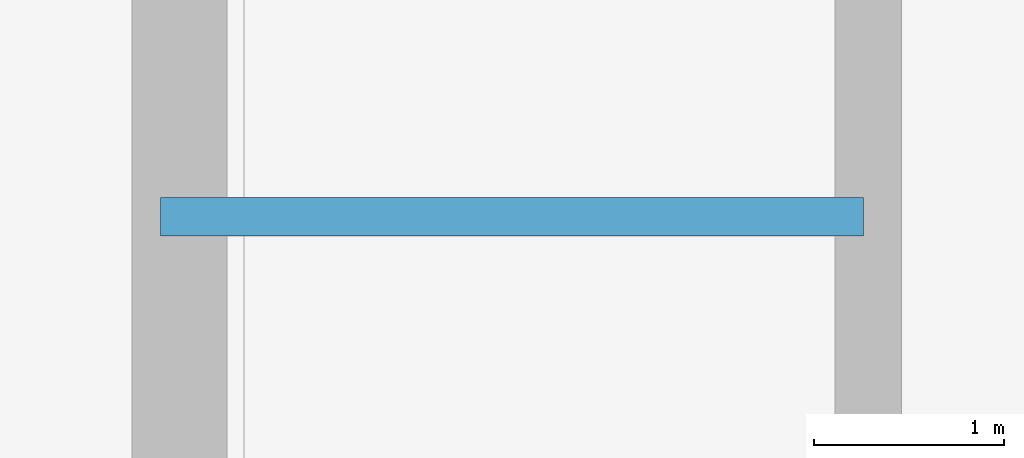
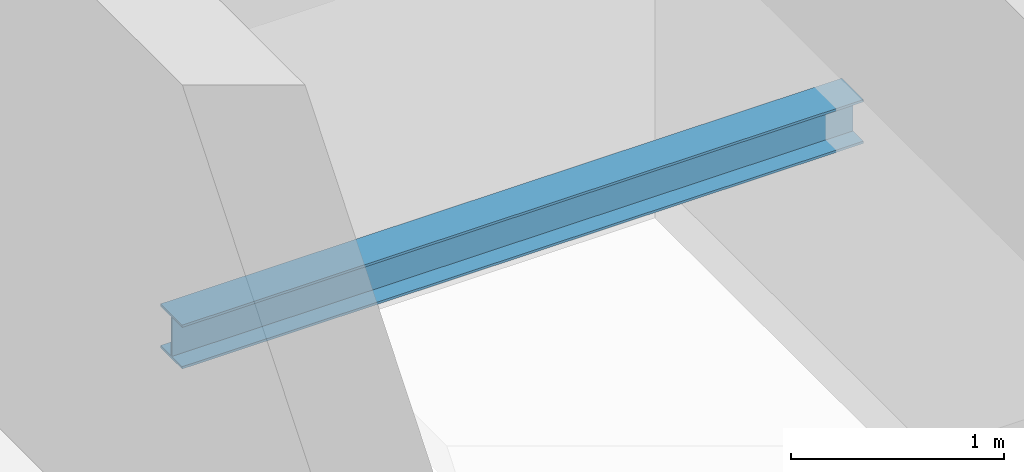
# One storey, part 12 of 31: 1 beam.
"""IFC4 building model written with IfcOpenShell, lengths in metres."""

import ifcopenshell
import ifcopenshell.guid

model = None  # the IFC model being written
_history = None  # IfcOwnerHistory: only IFC2X3 demands one
_inside = {}  # id of a spatial element -> (the spatial element, [elements in it])
_under = {}  # id of a project, library or spatial element -> (it, [spatial elements below it])
_declared = {}  # id of a project -> (the project, [libraries it declares])
_typed = {}  # id of a type object -> (the type object, [elements of that type])
_made_of = {}  # id of a material, layer set ... -> (it, [elements and type objects made of it])


def new_model(schema):
    """Start an empty IFC model of exactly this schema.

    Asked for "IFC4X3", IfcOpenShell would pick the latest addendum, in which some entities
    have other attributes; the version numbers below select the first issue.
    IFC2X3 requires an IfcOwnerHistory on every rooted entity: one is made here for all.
    """
    global model, _history
    if schema == "IFC4X3":
        model = ifcopenshell.file(schema_version=(4, 3, 0, 0))
    else:
        model = ifcopenshell.file(schema=schema)
    _inside.clear()
    _under.clear()
    _declared.clear()
    _typed.clear()
    _made_of.clear()
    _history = None
    if model.schema == "IFC2X3":
        org = make("IfcOrganization", Name="unknown")
        user = make(
            "IfcPersonAndOrganization",
            ThePerson=make("IfcPerson", FamilyName="unknown"),
            TheOrganization=org,
        )
        app = make(
            "IfcApplication",
            ApplicationDeveloper=org,
            Version="unknown",
            ApplicationFullName="unknown",
            ApplicationIdentifier="unknown",
        )
        _history = make(
            "IfcOwnerHistory",
            OwningUser=user,
            OwningApplication=app,
            ChangeAction="ADDED",
            CreationDate=0,
        )
    return model


def make(cls, **values):
    """One entity of the class cls with the attributes given. An attribute that is None is left unset."""
    return model.create_entity(
        cls, **{name: value for name, value in values.items() if value is not None}
    )


def rooted(cls, **values):
    """An entity with a GlobalId (a new one), such as an element, a storey or a relation."""
    return make(cls, GlobalId=ifcopenshell.guid.new(), OwnerHistory=_history, **values)


def si_unit(unit_type, name, prefix=None):
    """IfcSIUnit, for example si_unit("LENGTHUNIT", "METRE", prefix="MILLI")."""
    return make("IfcSIUnit", UnitType=unit_type, Prefix=prefix, Name=name)


def assignment(units):
    """IfcUnitAssignment: the units of a project."""
    return None if units is None else make("IfcUnitAssignment", Units=units)


def point(xyz):
    """IfcCartesianPoint."""
    return None if xyz is None else make("IfcCartesianPoint", Coordinates=xyz)


def direction(xyz):
    """IfcDirection."""
    return None if xyz is None else make("IfcDirection", DirectionRatios=xyz)


def frame(location, z_axis=None, x_axis=None):
    """IfcAxis2Placement3D, a coordinate frame: its origin and axes. An axis left out is left unset."""
    return make(
        "IfcAxis2Placement3D",
        Location=point(location),
        Axis=direction(z_axis),
        RefDirection=direction(x_axis),
    )


def frame_2d(location, x_axis=None):
    """IfcAxis2Placement2D, a coordinate frame in the plane: its origin and x axis."""
    return make(
        "IfcAxis2Placement2D", Location=point(location), RefDirection=direction(x_axis)
    )


def origin():
    """The frame at (0, 0, 0) with its axes left unset."""
    return frame((0.0, 0.0, 0.0))


def origin_2d():
    """The frame at (0, 0) in the plane with its x axis left unset."""
    return frame_2d((0.0, 0.0))


def place(relative_to, where):
    """IfcLocalPlacement: puts the frame where relative to a parent placement (None: the world)."""
    return make(
        "IfcLocalPlacement", PlacementRelTo=relative_to, RelativePlacement=where
    )


def context(
    kind, dimensions, precision=None, world=None, true_north=None, identifier=None
):
    """IfcGeometricRepresentationContext, for example the 3D "Model" context."""
    return make(
        "IfcGeometricRepresentationContext",
        ContextIdentifier=identifier,
        ContextType=kind,
        CoordinateSpaceDimension=dimensions,
        Precision=precision,
        WorldCoordinateSystem=world,
        TrueNorth=true_north,
    )


def subcontext(parent, identifier, kind, view, scale=None):
    """IfcGeometricRepresentationSubContext, for example "Body" below "Model"."""
    return make(
        "IfcGeometricRepresentationSubContext",
        ContextIdentifier=identifier,
        ContextType=kind,
        ParentContext=parent,
        TargetScale=scale,
        TargetView=view,
    )


def project(units=None, contexts=None):
    """IfcProject with its units and contexts."""
    return rooted(
        "IfcProject",
        Name="project",
        RepresentationContexts=contexts,
        UnitsInContext=assignment(units),
    )


def spatial(cls, under=None, at=None, **own):
    """A site, building, storey or space (cls), placed at a placement, below another one or the project."""
    s = rooted(cls, ObjectPlacement=at, **own)
    if under is not None:
        _under.setdefault(under.id(), (under, []))[1].append(s)
    return s


def profile(cls, at=None, kind="AREA", **sizes):
    """A parametric profile (cls). Its sizes go by their IFC names, for example OverallWidth=200.0."""
    return make(cls, ProfileType=kind, Position=at, **sizes)


def i_section(**sizes):
    """IfcIShapeProfileDef."""
    return profile("IfcIShapeProfileDef", **sizes)


def extrude(swept, where, along, depth):
    """IfcExtrudedAreaSolid: the profile swept, set in the frame where, extruded along a direction by depth."""
    return make(
        "IfcExtrudedAreaSolid",
        SweptArea=swept,
        Position=where,
        ExtrudedDirection=direction(along),
        Depth=depth,
    )


def shape(context_of_items, identifier, shape_type, items):
    """IfcShapeRepresentation: the items that make up one representation, for example the "Body"."""
    return make(
        "IfcShapeRepresentation",
        ContextOfItems=context_of_items,
        RepresentationIdentifier=identifier,
        RepresentationType=shape_type,
        Items=items,
    )


def material(Name=None, Category=None):
    """IfcMaterial."""
    return make("IfcMaterial", Name=Name, Category=Category)


def material_profile(
    of_material, cross_section, Name=None, Category=None, Priority=None
):
    """IfcMaterialProfile: a cross section and its material."""
    return make(
        "IfcMaterialProfile",
        Name=Name,
        Material=of_material,
        Profile=cross_section,
        Priority=Priority,
        Category=Category,
    )


def profile_set(profiles, Name=None, composite=None):
    """IfcMaterialProfileSet."""
    return make(
        "IfcMaterialProfileSet",
        Name=Name,
        MaterialProfiles=profiles,
        CompositeProfile=composite,
    )


def made_of(thing, what):
    """Note that an element or type object is made of a material, layer set ...; save() writes the relation."""
    if what is not None:
        _made_of.setdefault(what.id(), (what, []))[1].append(thing)
    return thing


def type_object(cls, material=None, **own):
    """A type object (cls), such as IfcWallType, which elements share."""
    return made_of(rooted(cls, **own), material)


def element(
    cls,
    number,
    at=None,
    inside=None,
    cuts=None,
    type_object=None,
    material=None,
    context=None,
    identifier="Body",
    shape_type=None,
    held_by="IfcProductDefinitionShape",
    body=None,
    shapes=None,
    **own,
):
    """One element of the class cls, such as IfcWall. Its Tag is "e" and its number.

    at: its placement. inside: the storey or other place that contains it. cuts: it is an
    opening in that element (IfcRelVoidsElement). A single representation is given by context,
    identifier, shape_type and body (its items); several are given by shapes. held_by: the class
    of the entity that holds the representations. save() writes the other relations.
    """
    e = rooted(cls, Tag="e%d" % number, ObjectPlacement=at, **own)
    if body is not None:
        shapes = [shape(context, identifier, shape_type, body)]
    if shapes is not None:
        e.Representation = make(held_by, Representations=shapes)
    if inside is not None:
        _inside.setdefault(inside.id(), (inside, []))[1].append(e)
    if cuts is not None:
        rooted(
            "IfcRelVoidsElement", RelatingBuildingElement=cuts, RelatedOpeningElement=e
        )
    if type_object is not None:
        _typed.setdefault(type_object.id(), (type_object, []))[1].append(e)
    return made_of(e, material)


def aggregate(whole, parts):
    """IfcRelAggregates: a whole, such as a stair, and the parts it consists of."""
    return rooted("IfcRelAggregates", RelatingObject=whole, RelatedObjects=parts)


def save(model, path):
    """Write the relations noted so far, then the file.

    IfcRelAggregates (storeys below a building ...), IfcRelContainedInSpatialStructure (elements
    in a storey), IfcRelDefinesByType, IfcRelAssociatesMaterial and IfcRelDeclares: one each for
    every whole, place, type object, material and project.
    """
    for whole, parts in _under.values():
        aggregate(whole, parts)
    for where, things in _inside.values():
        rooted(
            "IfcRelContainedInSpatialStructure",
            RelatedElements=things,
            RelatingStructure=where,
        )
    for kind, things in _typed.values():
        rooted("IfcRelDefinesByType", RelatedObjects=things, RelatingType=kind)
    for what, things in _made_of.values():
        rooted("IfcRelAssociatesMaterial", RelatedObjects=things, RelatingMaterial=what)
    for by, libraries in _declared.values():
        rooted("IfcRelDeclares", RelatingContext=by, RelatedDefinitions=libraries)
    model.write(path)


model = new_model("IFC4")

# Units and contexts
model_context = context("Model", 3, precision=1e-05, world=origin(), true_north=direction((0.0, 1.0)))
body_context = subcontext(model_context, "Body", "Model", "MODEL_VIEW")
ifc_project = project(units=[si_unit("LENGTHUNIT", "METRE"), si_unit("AREAUNIT", "SQUARE_METRE"), si_unit("VOLUMEUNIT", "CUBIC_METRE"), si_unit("PLANEANGLEUNIT", "RADIAN"), si_unit("MASSUNIT", "GRAM", prefix="KILO")], contexts=[model_context])

# Site, building, storey
site_placement = place(None, origin())
site = spatial("IfcSite", under=ifc_project, at=site_placement, CompositionType="ELEMENT")
building_placement = place(site_placement, origin())
building = spatial("IfcBuilding", under=site, at=building_placement, Name="Veraguas Prism Commons", CompositionType="ELEMENT")
storey_placement = place(building_placement, frame((0.0, 0.0, 178.85009765625)))
storey = spatial("IfcBuildingStorey", under=building, at=storey_placement, Name="L50", CompositionType="ELEMENT", Elevation=178.85009765625)

# Beam
ifc_material = material(Name="Steel ASTM A992 Grade 50", Category="steel")
ifc_material_profile = material_profile(ifc_material, i_section(OverallWidth=0.202880859375, OverallDepth=0.251953125, WebThickness=0.008056640625, FlangeThickness=0.013427734375, at=origin_2d()), Name="W250X58")
ifc_profile_set = profile_set([ifc_material_profile], Name="Steel ASTM A992 Grade 50")
beam_type = type_object("IfcBeamType", Name="Structural Opening Lintel W250x58", PredefinedType="LINTEL", material=ifc_profile_set)
beam_placement = place(storey_placement, frame((17.25, 26.800048828125, 1.298828125), z_axis=(1.0, 0.0, 0.0), x_axis=(0.0, 1.0, 0.0)))
element("IfcBeam", 1, at=beam_placement, inside=storey, type_object=beam_type, Name="Stair ST-01 Half-Landing Support Beam L50-1", PredefinedType="LINTEL", context=body_context, shape_type="SweptSolid", body=[
    extrude(i_section(OverallWidth=0.202880859375, OverallDepth=0.251953125, WebThickness=0.008056640625, FlangeThickness=0.013427734375, at=origin_2d()), origin(), (0.0, 0.0, 1.0), 3.699951171875),
])

save(model, "model.ifc")
